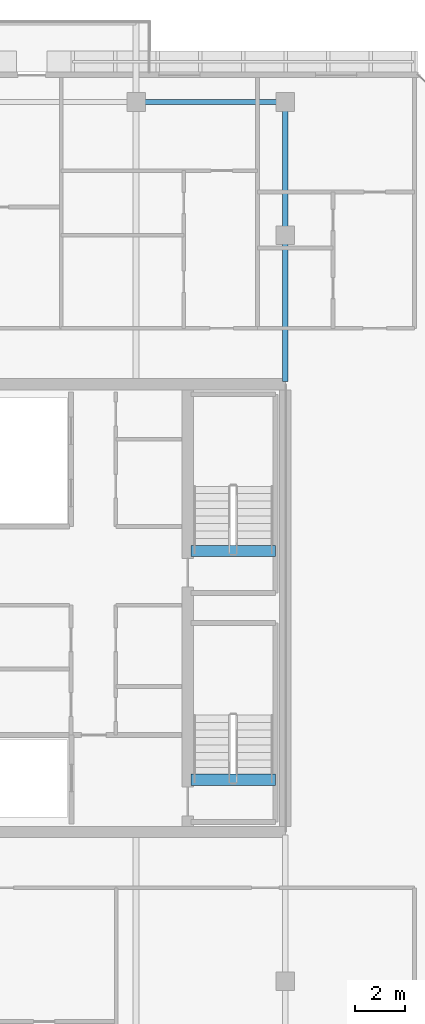
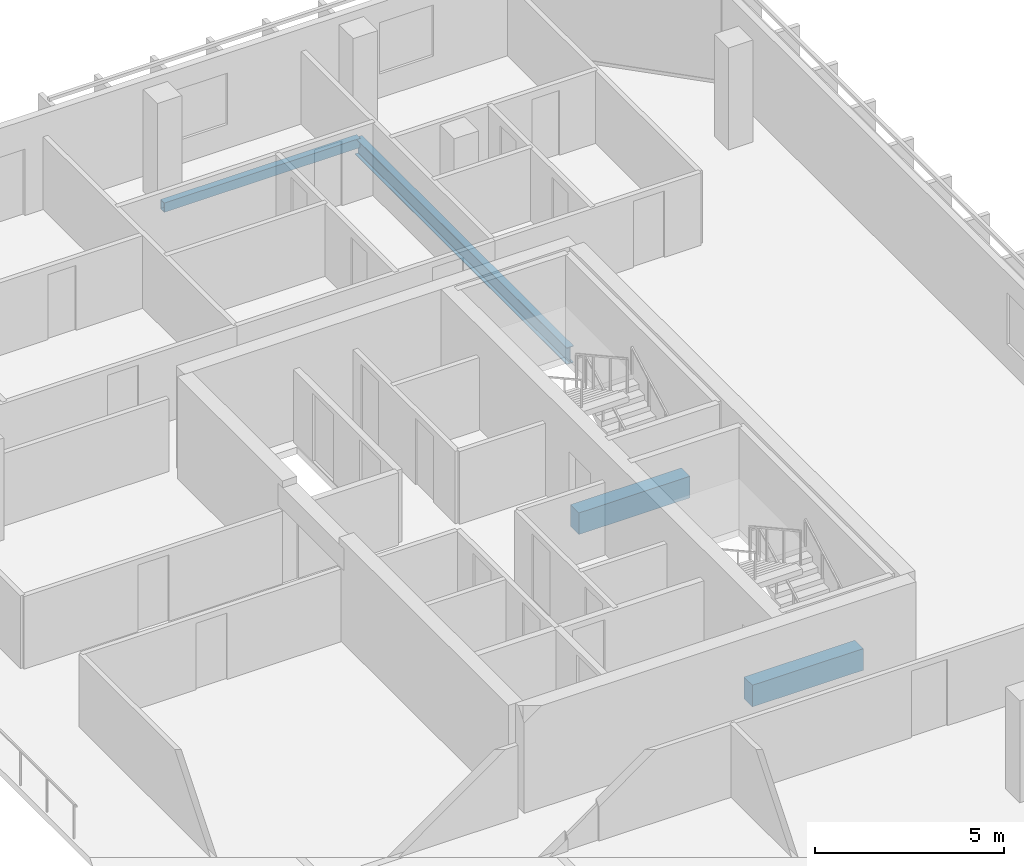
# One storey, part 11 of 25: 4 beams.
"""IFC4 building model written with IfcOpenShell, lengths in metres."""

from ifc_helpers import new_model, si_unit, direction, frame, origin, origin_2d, place, context, subcontext, project, spatial, rectangle, hollow_rectangle, i_section, extrude, material, material_profile, profile_set, type_object, element, save


model = new_model("IFC4")

# Units and contexts
model_context = context("Model", 3, precision=1e-05, world=origin(), true_north=direction((0.0, 1.0)))
body_context = subcontext(model_context, "Body", "Model", "MODEL_VIEW")
ifc_project = project(units=[si_unit("LENGTHUNIT", "METRE"), si_unit("AREAUNIT", "SQUARE_METRE"), si_unit("VOLUMEUNIT", "CUBIC_METRE"), si_unit("PLANEANGLEUNIT", "RADIAN"), si_unit("MASSUNIT", "GRAM", prefix="KILO")], contexts=[model_context])

# Site, building, storey
site_placement = place(None, origin())
site = spatial("IfcSite", under=ifc_project, at=site_placement, CompositionType="ELEMENT")
building_placement = place(site_placement, origin())
building = spatial("IfcBuilding", under=site, at=building_placement, Name="Tanjung Sevakor Pilgrim Tower", CompositionType="ELEMENT")
storey_placement = place(building_placement, frame((0.0, 0.0, 204.929931640625)))
storey = spatial("IfcBuildingStorey", under=building, at=storey_placement, Name="L57", CompositionType="ELEMENT", Elevation=204.929931640625)

# Beams
ifc_material_1 = material(Name="Steel S355J2", Category="steel")
ifc_material_profile_1 = material_profile(ifc_material_1, i_section(OverallWidth=0.2119140625, OverallDepth=0.54443359375, WebThickness=0.0126953125, FlangeThickness=0.021240234375, FilletRadius=0.0126953125, at=origin_2d()))
ifc_profile_set_1 = profile_set([ifc_material_profile_1], Name="Steel S355J2")
beam_type_1 = type_object("IfcBeamType", Name="BM-B-G5-UB_533x210x122", PredefinedType="BEAM", material=ifc_profile_set_1)
beam_1_placement = place(storey_placement, frame((90.0, 42.714599609375, -0.4921875), z_axis=(0.0, 1.0, 0.0), x_axis=(-1.0, 0.0, 0.0)))
element("IfcBeam", 1, at=beam_1_placement, inside=storey, type_object=beam_type_1, Name="L57 MAIN Girder 010", PredefinedType="BEAM", context=body_context, shape_type="SweptSolid", body=[
    extrude(i_section(OverallWidth=0.2119140625, OverallDepth=0.54443359375, WebThickness=0.0126953125, FlangeThickness=0.021240234375, FilletRadius=0.0126953125, at=origin_2d()), origin(), (0.0, 0.0, 1.0), 11.2353515625),
])
ifc_material_2 = material(Name="Concrete C60/75", Category="concrete")
ifc_material_profile_2 = material_profile(ifc_material_2, rectangle(XDim=0.449951171875, YDim=0.699951171875, at=origin_2d()))
ifc_profile_set_2 = profile_set([ifc_material_profile_2], Name="Concrete C60/75")
beam_type_2 = type_object("IfcBeamType", Name="BM-B-LN3-RC-BM_450x700", PredefinedType="LINTEL", material=ifc_profile_set_2)
for number, where, z_axis, x_axis, name in (
    (2, (86.199951171875, 26.699951171875, -0.349853515625), (1.0, 0.0, 0.0), (0.0, 1.0, 0.0), "L57 TS-E1 Stair Threshold Beam"),
    (3, (86.199951171875, 35.89990234375, -0.349853515625), (1.0, 0.0, 0.0), (0.0, 1.0, 0.0), "L57 TS-E2 Stair Threshold Beam"),
):
    element("IfcBeam", number, at=place(storey_placement, frame(where, z_axis=z_axis, x_axis=x_axis)), inside=storey, type_object=beam_type_2, Name=name, PredefinedType="LINTEL", context=body_context, shape_type="SweptSolid", body=[
        extrude(rectangle(XDim=0.449951171875, YDim=0.699951171875, at=origin_2d()), origin(), (0.0, 0.0, 1.0), 3.400146484375),
    ])
ifc_material_3 = material(Name="Steel S355J2", Category="steel")
ifc_material_profile_3 = material_profile(ifc_material_3, hollow_rectangle(XDim=0.199951171875, YDim=0.300048828125, WallThickness=0.012451171875, at=origin_2d()))
ifc_profile_set_3 = profile_set([ifc_material_profile_3], Name="Steel S355J2")
beam_type_3 = type_object("IfcBeamType", Name="BM-B-SP3-RHS_300x200x12.5", PredefinedType="SPANDREL", material=ifc_profile_set_3)
beam_2_placement = place(storey_placement, frame((84.0, 53.949951171875, -0.369873046875), z_axis=(1.0, 0.0, 0.0), x_axis=(0.0, 1.0, 0.0)))
element("IfcBeam", 4, at=beam_2_placement, inside=storey, type_object=beam_type_3, Name="L57 Spandrel MAIN N-16", PredefinedType="SPANDREL", context=body_context, shape_type="SweptSolid", body=[
    extrude(hollow_rectangle(XDim=0.199951171875, YDim=0.300048828125, WallThickness=0.012451171875, at=origin_2d()), origin(), (0.0, 0.0, 1.0), 6.0),
])

save(model, "model.ifc")
